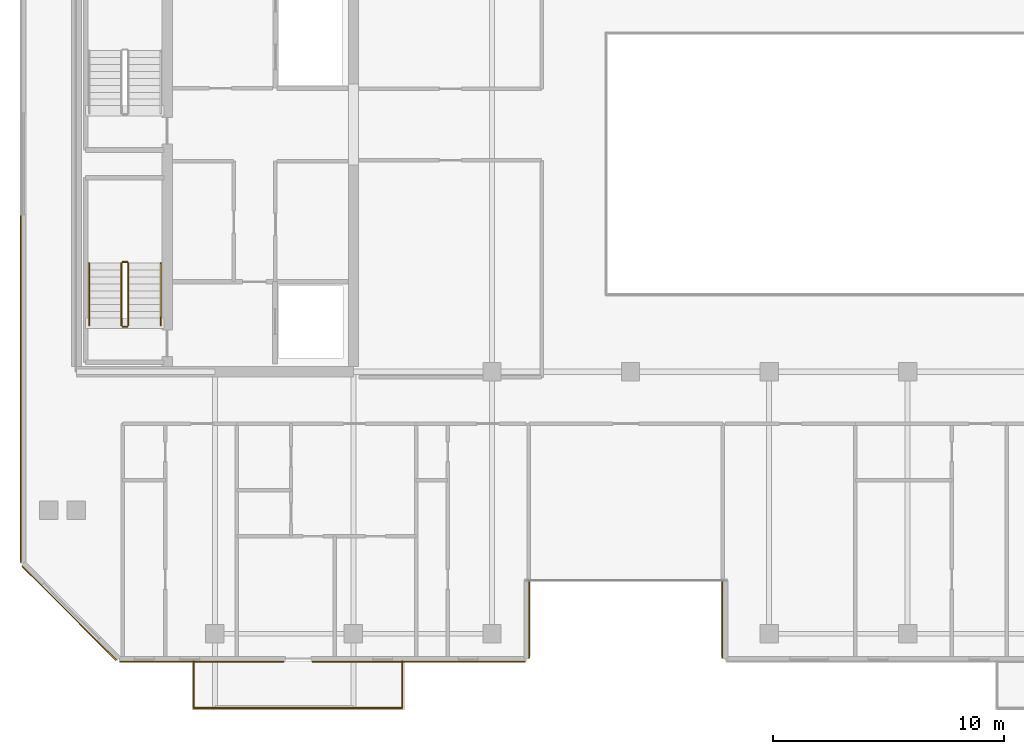
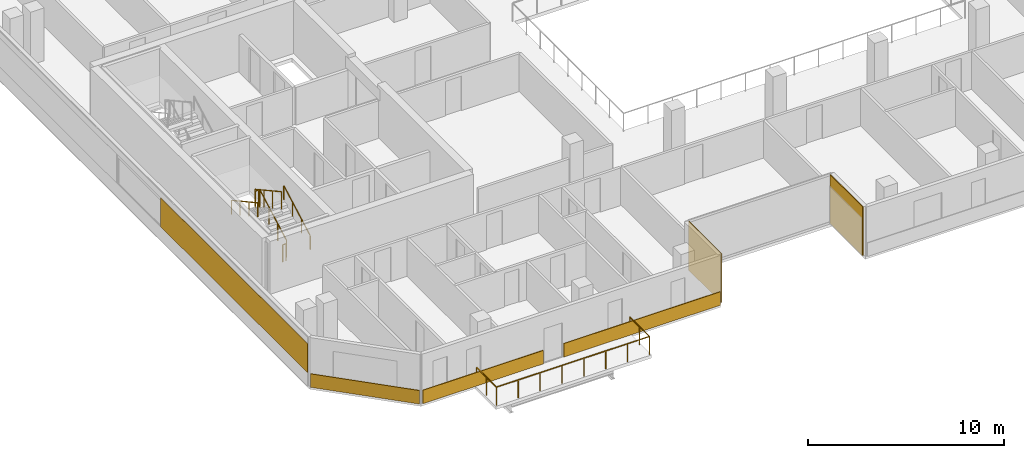
# One storey, part 13 of 16: 7 railings, 6 coverings.
"""IFC4 building model written with IfcOpenShell, lengths in metres."""

from ifc_helpers import new_model, si_unit, direction, frame, origin, origin_2d, place, context, subcontext, project, spatial, rectangle, extrude, material, layer, layer_set, type_object, element, save


model = new_model("IFC4")

# Units and contexts
model_context = context("Model", 3, precision=1e-05, world=origin(), true_north=direction((0.0, 1.0)))
body_context = subcontext(model_context, "Body", "Model", "MODEL_VIEW")
ifc_project = project(units=[si_unit("LENGTHUNIT", "METRE"), si_unit("AREAUNIT", "SQUARE_METRE"), si_unit("VOLUMEUNIT", "CUBIC_METRE"), si_unit("PLANEANGLEUNIT", "RADIAN"), si_unit("MASSUNIT", "GRAM", prefix="KILO")], contexts=[model_context])

# Site, building, storey
site_placement = place(None, origin())
site = spatial("IfcSite", under=ifc_project, at=site_placement, CompositionType="ELEMENT")
building_placement = place(site_placement, origin())
building = spatial("IfcBuilding", under=site, at=building_placement, Name="Tanjung Sevakor Pilgrim Tower", CompositionType="ELEMENT")
storey_placement = place(building_placement, frame((0.0, 0.0, 198.330078125)))
storey = spatial("IfcBuildingStorey", under=building, at=storey_placement, Name="L55", CompositionType="ELEMENT", Elevation=198.330078125)

# Coverings
ifc_material_1 = material(Name="Reconstructed Limestone Cladding", Category="masonry")
ifc_layer = layer(ifc_material_1, 0.044921875)
ifc_layer_set = layer_set([ifc_layer], Name="COV-CLAD-LIMESTONE")
covering_type = type_object("IfcCoveringType", Name="COV-CLAD-LIMESTONE", PredefinedType="CLADDING", material=ifc_layer_set)
covering_1_placement = place(storey_placement, frame((29.437744140625, 12.027587890625, 0.009765625), z_axis=(0.0, 0.0, 1.0), x_axis=(1.0, 0.0, 0.0)))
element("IfcCovering", 1, at=covering_1_placement, inside=storey, type_object=covering_type, Name="L55 Warm Limestone Sill Spandrel EW-L55-MAIN-1-1", PredefinedType="CLADDING", context=body_context, shape_type="SweptSolid", body=[
    extrude(rectangle(XDim=7.1044921875, YDim=0.044921875, at=origin_2d()), origin(), (0.0, 0.0, 1.0), 0.840087890625),
])
covering_2_placement = place(storey_placement, frame((38.830078125, 12.027587890625, 0.009765625), z_axis=(0.0, 0.0, 1.0), x_axis=(1.0, 0.0, 0.0)))
element("IfcCovering", 2, at=covering_2_placement, inside=storey, type_object=covering_type, Name="L55 Warm Limestone Sill Spandrel EW-L55-MAIN-1-2", PredefinedType="CLADDING", context=body_context, shape_type="SweptSolid", body=[
    extrude(rectangle(XDim=9.239990234375, YDim=0.044921875, at=origin_2d()), origin(), (0.0, 0.0, 1.0), 0.840087890625),
])
for number, where, z_axis, x_axis, name in (
    (3, (43.62255859375, 13.860107421875, 0.02001953125), (0.0, 0.0, 1.0), (0.0, 1.0, 0.0), "L55 Warm Limestone Wall Cladding EW-L55-MAIN-2"),
    (4, (51.9775390625, 13.860107421875, 0.02001953125), (0.0, 0.0, 1.0), (0.0, -1.0, 0.0), "L55 Warm Limestone Wall Cladding EW-L55-MAIN-4"),
):
    element("IfcCovering", number, at=place(storey_placement, frame(where, z_axis=z_axis, x_axis=x_axis)), inside=storey, type_object=covering_type, Name=name, PredefinedType="CLADDING", context=body_context, shape_type="SweptSolid", body=[
        extrude(rectangle(XDim=3.360107421875, YDim=0.044921875, at=origin_2d()), origin(), (0.0, 0.0, 1.0), 3.0400390625),
    ])
covering_3_placement = place(storey_placement, frame((21.577392578125, 23.8427734375, 0.849853515625), z_axis=(0.0, 0.0, 1.0), x_axis=(0.0, -1.0, 0.0)))
element("IfcCovering", 5, at=covering_3_placement, inside=storey, type_object=covering_type, Name="L55 Warm Limestone Pier Panel EW-L55-MAIN-15-2", PredefinedType="CLADDING", context=body_context, shape_type="SweptSolid", body=[
    extrude(rectangle(XDim=15.014404296875, YDim=0.044921875, at=origin_2d()), origin(), (0.0, 0.0, 1.0), 1.81005859375),
])
covering_4_placement = place(storey_placement, frame((23.68408203125, 14.134033203125, 0.009765625), z_axis=(0.0, 0.0, 1.0), x_axis=(0.707106781187, -0.707106781187, 0.0)))
element("IfcCovering", 6, at=covering_4_placement, inside=storey, type_object=covering_type, Name="L55 Warm Limestone Sill Spandrel EW-CHM-L55-MAIN-15-1", PredefinedType="CLADDING", context=body_context, shape_type="SweptSolid", body=[
    extrude(rectangle(XDim=5.7685546875, YDim=0.044921875, at=origin_2d()), origin(), (0.0, 0.0, 1.0), 0.840087890625),
])

# Railings
ifc_material_2 = material(Name="Laminated Glass and Aluminium", Category="aluminium")
railing_type_1 = type_object("IfcRailingType", Name="RL-BAL-BALUST", PredefinedType="BALUSTRADE", material=ifc_material_2)
railing_1_placement = place(storey_placement, frame((29.080078125, 12.050048828125, 0.0)))
element("IfcRailing", 7, at=railing_1_placement, inside=storey, type_object=railing_type_1, Name="L55 Loggia Balustrade MAIN-S1", PredefinedType="BALUSTRADE", context=body_context, shape_type="SweptSolid", body=[
    extrude(rectangle(XDim=0.0479, YDim=0.0479), frame((0.0, 0.0, 1.1259765625), z_axis=(0.0, -1.0, 0.0), x_axis=(1.0, 0.0, 0.0)), (0.0, 0.0, 1.0), 2.02001953125),
    extrude(rectangle(XDim=0.0479, YDim=0.0479), frame((0.0, -2.02001953125, 1.1259765625), z_axis=(1.0, 0.0, 0.0), x_axis=(0.0, 1.0, 0.0)), (0.0, 0.0, 1.0), 9.0400390625),
    extrude(rectangle(XDim=0.0479, YDim=0.0479), frame((9.0400390625, -2.02001953125, 1.1259765625), z_axis=(0.0, 1.0, 0.0), x_axis=(-1.0, 0.0, 0.0)), (0.0, 0.0, 1.0), 2.02001953125),
    extrude(rectangle(XDim=0.042, YDim=0.042), origin(), (0.0, 0.0, 1.0), 1.101806640625),
    extrude(rectangle(XDim=0.042, YDim=0.042), frame((0.0, -1.010009765625, 0.0)), (0.0, 0.0, 1.0), 1.101806640625),
    extrude(rectangle(XDim=0.042, YDim=0.042), frame((0.0, -2.02001953125, 0.0)), (0.0, 0.0, 1.0), 1.101806640625),
    extrude(rectangle(XDim=0.042, YDim=0.042), frame((1.29150390625, -2.02001953125, 0.0)), (0.0, 0.0, 1.0), 1.101806640625),
    extrude(rectangle(XDim=0.042, YDim=0.042), frame((2.582763671875, -2.02001953125, 0.0)), (0.0, 0.0, 1.0), 1.101806640625),
    extrude(rectangle(XDim=0.042, YDim=0.042), frame((3.874267578125, -2.02001953125, 0.0)), (0.0, 0.0, 1.0), 1.101806640625),
    extrude(rectangle(XDim=0.042, YDim=0.042), frame((5.165771484375, -2.02001953125, 0.0)), (0.0, 0.0, 1.0), 1.101806640625),
    extrude(rectangle(XDim=0.042, YDim=0.042), frame((6.457275390625, -2.02001953125, 0.0)), (0.0, 0.0, 1.0), 1.101806640625),
    extrude(rectangle(XDim=0.042, YDim=0.042), frame((7.74853515625, -2.02001953125, 0.0)), (0.0, 0.0, 1.0), 1.101806640625),
    extrude(rectangle(XDim=0.042, YDim=0.042), frame((9.0400390625, -2.02001953125, 0.0)), (0.0, 0.0, 1.0), 1.101806640625),
    extrude(rectangle(XDim=0.042, YDim=0.042), frame((9.0400390625, -1.010009765625, 0.0)), (0.0, 0.0, 1.0), 1.101806640625),
    extrude(rectangle(XDim=0.042, YDim=0.042), frame((9.0400390625, 0.0, 0.0)), (0.0, 0.0, 1.0), 1.101806640625),
])
ifc_material_3 = material(Name="Steel S355J2", Category="steel")
railing_type_2 = type_object("IfcRailingType", Name="RL-STAIR-GUARD", PredefinedType="GUARDRAIL", material=ifc_material_3)
railing_2_placement = place(storey_placement, frame((26.25, 26.60009765625, 0.1650390625)))
element("IfcRailing", 8, at=railing_2_placement, inside=storey, type_object=railing_type_2, Name="L55 TS-W1 stair guard 1", PredefinedType="GUARDRAIL", context=body_context, shape_type="SweptSolid", body=[
    extrude(rectangle(XDim=0.0479, YDim=0.0479), frame((0.0, 0.0, 1.076171875), z_axis=(0.0, 0.876230963923, 0.481891375584), x_axis=(-1.0, 0.0, 0.0)), (0.0, 0.0, 1.0), 3.081298828125),
    extrude(rectangle(XDim=0.042, YDim=0.042), origin(), (0.0, 0.0, 1.0), 1.052001953125),
    extrude(rectangle(XDim=0.042, YDim=0.042), frame((0.0, 0.89990234375, 0.494873046875)), (0.0, 0.0, 1.0), 1.052001953125),
    extrude(rectangle(XDim=0.042, YDim=0.042), frame((0.0, 1.800048828125, 0.989990234375)), (0.0, 0.0, 1.0), 1.052001953125),
    extrude(rectangle(XDim=0.042, YDim=0.042), frame((0.0, 2.699951171875, 1.48486328125)), (0.0, 0.0, 1.0), 1.052001953125),
])
railing_3_placement = place(storey_placement, frame((26.199951171875, 29.35009765625, 1.64990234375)))
element("IfcRailing", 9, at=railing_3_placement, inside=storey, type_object=railing_type_2, Name="L55 TS-W1 stair guard 2", PredefinedType="GUARDRAIL", context=body_context, shape_type="SweptSolid", body=[
    extrude(rectangle(XDim=0.0479, YDim=0.0479), frame((0.0, 0.0, 1.076171875), z_axis=(-1.0, 0.0, 0.0), x_axis=(0.0, -1.0, 0.0)), (0.0, 0.0, 1.0), 0.199951171875),
    extrude(rectangle(XDim=0.042, YDim=0.042), origin(), (0.0, 0.0, 1.0), 1.052001953125),
    extrude(rectangle(XDim=0.042, YDim=0.042), frame((-0.199951171875, 0.0, 0.0)), (0.0, 0.0, 1.0), 1.052001953125),
])
railing_4_placement = place(storey_placement, frame((25.949951171875, 29.300048828125, 1.81494140625)))
element("IfcRailing", 10, at=railing_4_placement, inside=storey, type_object=railing_type_2, Name="L55 TS-W1 stair guard 3", PredefinedType="GUARDRAIL", context=body_context, shape_type="SweptSolid", body=[
    extrude(rectangle(XDim=0.0479, YDim=0.0479), frame((0.0, 0.0, 1.076171875), z_axis=(0.0, -0.876230963923, 0.481891375584), x_axis=(1.0, 0.0, 0.0)), (0.0, 0.0, 1.0), 3.081298828125),
    extrude(rectangle(XDim=0.042, YDim=0.042), origin(), (0.0, 0.0, 1.0), 1.052001953125),
    extrude(rectangle(XDim=0.042, YDim=0.042), frame((0.0, -0.89990234375, 0.494873046875)), (0.0, 0.0, 1.0), 1.052001953125),
    extrude(rectangle(XDim=0.042, YDim=0.042), frame((0.0, -1.800048828125, 0.989990234375)), (0.0, 0.0, 1.0), 1.052001953125),
    extrude(rectangle(XDim=0.042, YDim=0.042), frame((0.0, -2.699951171875, 1.48486328125)), (0.0, 0.0, 1.0), 1.052001953125),
])
railing_5_placement = place(storey_placement, frame((26.199951171875, 26.550048828125, 0.0)))
element("IfcRailing", 11, at=railing_5_placement, inside=storey, type_object=railing_type_2, Name="L55 TS-W1 stair guard 4", PredefinedType="GUARDRAIL", context=body_context, shape_type="SweptSolid", body=[
    extrude(rectangle(XDim=0.0479, YDim=0.0479), frame((0.0, 0.0, 1.076171875), z_axis=(-1.0, 0.0, 0.0), x_axis=(0.0, -1.0, 0.0)), (0.0, 0.0, 1.0), 0.199951171875),
    extrude(rectangle(XDim=0.042, YDim=0.042), origin(), (0.0, 0.0, 1.0), 1.052001953125),
    extrude(rectangle(XDim=0.042, YDim=0.042), frame((-0.199951171875, 0.0, 0.0)), (0.0, 0.0, 1.0), 1.052001953125),
])
ifc_material_4 = material(Name="Steel S355J2", Category="steel")
railing_type_3 = type_object("IfcRailingType", Name="RL-STAIR-HAND", PredefinedType="HANDRAIL", material=ifc_material_4)
railing_6_placement = place(storey_placement, frame((27.64990234375, 26.60009765625, 0.1650390625)))
element("IfcRailing", 12, at=railing_6_placement, inside=storey, type_object=railing_type_3, Name="L55 TS-W1 stair handrail 1", PredefinedType="HANDRAIL", context=body_context, shape_type="SweptSolid", body=[
    extrude(rectangle(XDim=0.0479, YDim=0.0479), frame((0.0, 0.0, 0.8759765625), z_axis=(0.0, 0.876230963923, 0.481891375584), x_axis=(-1.0, 0.0, 0.0)), (0.0, 0.0, 1.0), 3.081298828125),
    extrude(rectangle(XDim=0.042, YDim=0.042), origin(), (0.0, 0.0, 1.0), 0.851806640625),
    extrude(rectangle(XDim=0.042, YDim=0.042), frame((0.0, 0.89990234375, 0.494873046875)), (0.0, 0.0, 1.0), 0.851806640625),
    extrude(rectangle(XDim=0.042, YDim=0.042), frame((0.0, 1.800048828125, 0.989990234375)), (0.0, 0.0, 1.0), 0.851806640625),
    extrude(rectangle(XDim=0.042, YDim=0.042), frame((0.0, 2.699951171875, 1.48486328125)), (0.0, 0.0, 1.0), 0.851806640625),
])
railing_7_placement = place(storey_placement, frame((24.550048828125, 29.300048828125, 1.81494140625)))
element("IfcRailing", 13, at=railing_7_placement, inside=storey, type_object=railing_type_3, Name="L55 TS-W1 stair handrail 2", PredefinedType="HANDRAIL", context=body_context, shape_type="SweptSolid", body=[
    extrude(rectangle(XDim=0.0479, YDim=0.0479), frame((0.0, 0.0, 0.8759765625), z_axis=(0.0, -0.876230963923, 0.481891375584), x_axis=(1.0, 0.0, 0.0)), (0.0, 0.0, 1.0), 3.081298828125),
    extrude(rectangle(XDim=0.042, YDim=0.042), origin(), (0.0, 0.0, 1.0), 0.851806640625),
    extrude(rectangle(XDim=0.042, YDim=0.042), frame((0.0, -0.89990234375, 0.494873046875)), (0.0, 0.0, 1.0), 0.851806640625),
    extrude(rectangle(XDim=0.042, YDim=0.042), frame((0.0, -1.800048828125, 0.989990234375)), (0.0, 0.0, 1.0), 0.851806640625),
    extrude(rectangle(XDim=0.042, YDim=0.042), frame((0.0, -2.699951171875, 1.48486328125)), (0.0, 0.0, 1.0), 0.851806640625),
])

save(model, "model.ifc")
